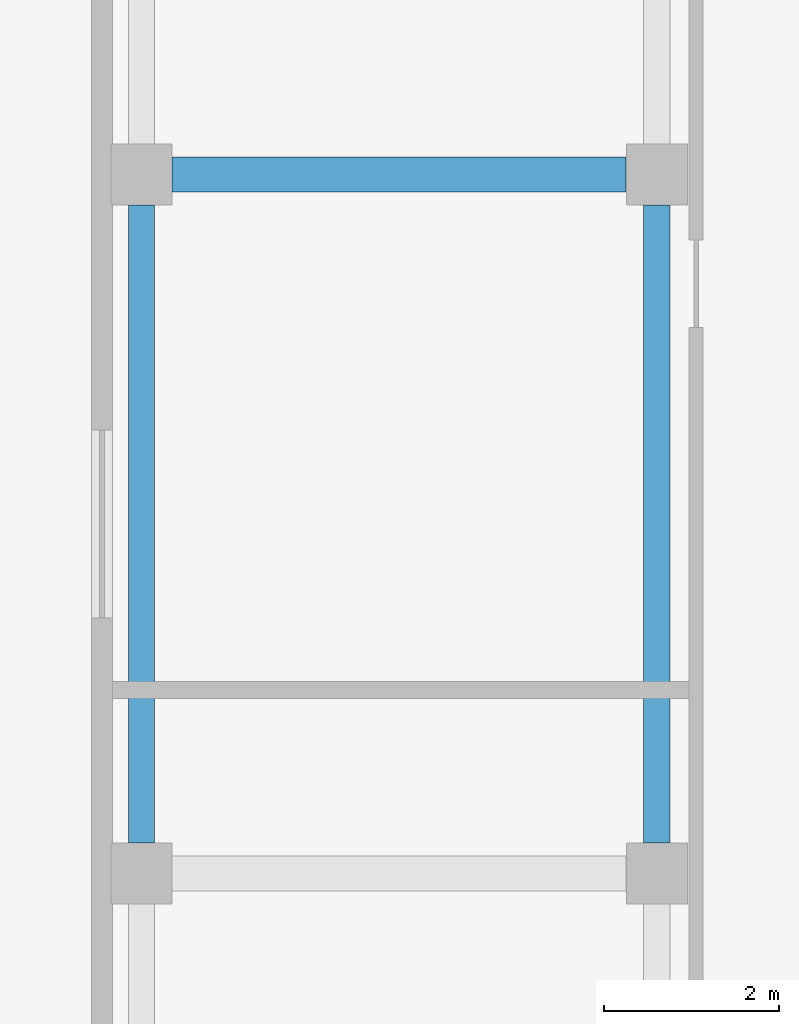
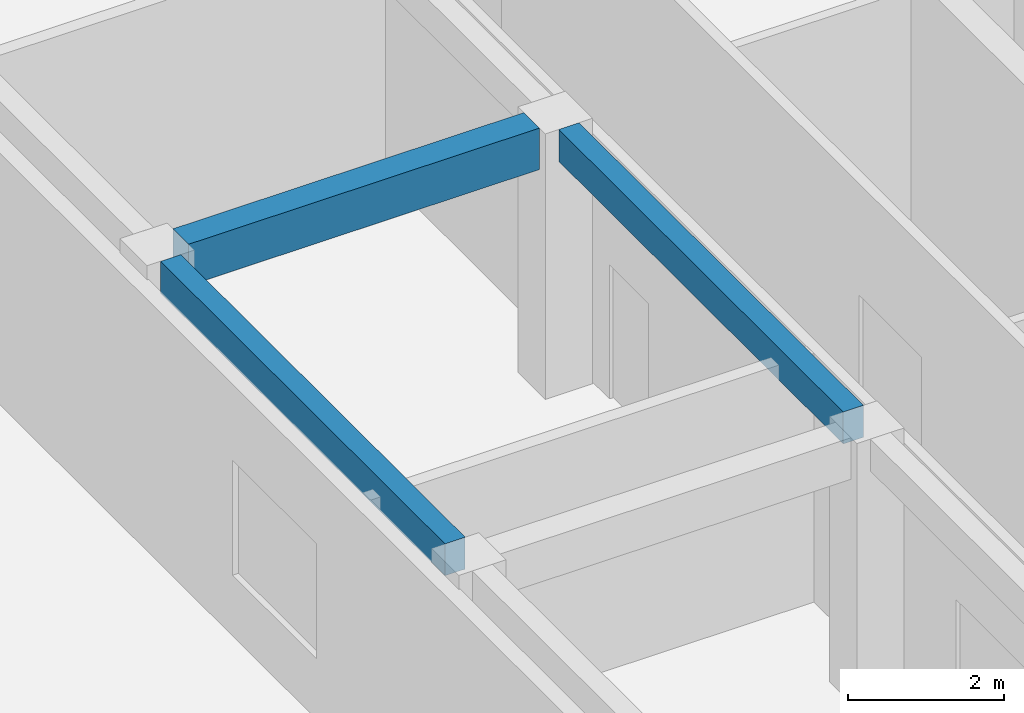
# One storey, part 52 of 114: 3 beams.
"""IFC4 building model written with IfcOpenShell, lengths in metres."""

import ifcopenshell
import ifcopenshell.guid

model = None  # the IFC model being written
_history = None  # IfcOwnerHistory: only IFC2X3 demands one
_inside = {}  # id of a spatial element -> (the spatial element, [elements in it])
_under = {}  # id of a project, library or spatial element -> (it, [spatial elements below it])
_declared = {}  # id of a project -> (the project, [libraries it declares])
_typed = {}  # id of a type object -> (the type object, [elements of that type])
_made_of = {}  # id of a material, layer set ... -> (it, [elements and type objects made of it])


def new_model(schema):
    """Start an empty IFC model of exactly this schema.

    Asked for "IFC4X3", IfcOpenShell would pick the latest addendum, in which some entities
    have other attributes; the version numbers below select the first issue.
    IFC2X3 requires an IfcOwnerHistory on every rooted entity: one is made here for all.
    """
    global model, _history
    if schema == "IFC4X3":
        model = ifcopenshell.file(schema_version=(4, 3, 0, 0))
    else:
        model = ifcopenshell.file(schema=schema)
    _inside.clear()
    _under.clear()
    _declared.clear()
    _typed.clear()
    _made_of.clear()
    _history = None
    if model.schema == "IFC2X3":
        org = make("IfcOrganization", Name="unknown")
        user = make(
            "IfcPersonAndOrganization",
            ThePerson=make("IfcPerson", FamilyName="unknown"),
            TheOrganization=org,
        )
        app = make(
            "IfcApplication",
            ApplicationDeveloper=org,
            Version="unknown",
            ApplicationFullName="unknown",
            ApplicationIdentifier="unknown",
        )
        _history = make(
            "IfcOwnerHistory",
            OwningUser=user,
            OwningApplication=app,
            ChangeAction="ADDED",
            CreationDate=0,
        )
    return model


def make(cls, **values):
    """One entity of the class cls with the attributes given. An attribute that is None is left unset."""
    return model.create_entity(
        cls, **{name: value for name, value in values.items() if value is not None}
    )


def rooted(cls, **values):
    """An entity with a GlobalId (a new one), such as an element, a storey or a relation."""
    return make(cls, GlobalId=ifcopenshell.guid.new(), OwnerHistory=_history, **values)


def si_unit(unit_type, name, prefix=None):
    """IfcSIUnit, for example si_unit("LENGTHUNIT", "METRE", prefix="MILLI")."""
    return make("IfcSIUnit", UnitType=unit_type, Prefix=prefix, Name=name)


def assignment(units):
    """IfcUnitAssignment: the units of a project."""
    return None if units is None else make("IfcUnitAssignment", Units=units)


def point(xyz):
    """IfcCartesianPoint."""
    return None if xyz is None else make("IfcCartesianPoint", Coordinates=xyz)


def direction(xyz):
    """IfcDirection."""
    return None if xyz is None else make("IfcDirection", DirectionRatios=xyz)


def frame(location, z_axis=None, x_axis=None):
    """IfcAxis2Placement3D, a coordinate frame: its origin and axes. An axis left out is left unset."""
    return make(
        "IfcAxis2Placement3D",
        Location=point(location),
        Axis=direction(z_axis),
        RefDirection=direction(x_axis),
    )


def frame_2d(location, x_axis=None):
    """IfcAxis2Placement2D, a coordinate frame in the plane: its origin and x axis."""
    return make(
        "IfcAxis2Placement2D", Location=point(location), RefDirection=direction(x_axis)
    )


def origin():
    """The frame at (0, 0, 0) with its axes left unset."""
    return frame((0.0, 0.0, 0.0))


def origin_2d():
    """The frame at (0, 0) in the plane with its x axis left unset."""
    return frame_2d((0.0, 0.0))


def place(relative_to, where):
    """IfcLocalPlacement: puts the frame where relative to a parent placement (None: the world)."""
    return make(
        "IfcLocalPlacement", PlacementRelTo=relative_to, RelativePlacement=where
    )


def context(
    kind, dimensions, precision=None, world=None, true_north=None, identifier=None
):
    """IfcGeometricRepresentationContext, for example the 3D "Model" context."""
    return make(
        "IfcGeometricRepresentationContext",
        ContextIdentifier=identifier,
        ContextType=kind,
        CoordinateSpaceDimension=dimensions,
        Precision=precision,
        WorldCoordinateSystem=world,
        TrueNorth=true_north,
    )


def subcontext(parent, identifier, kind, view, scale=None):
    """IfcGeometricRepresentationSubContext, for example "Body" below "Model"."""
    return make(
        "IfcGeometricRepresentationSubContext",
        ContextIdentifier=identifier,
        ContextType=kind,
        ParentContext=parent,
        TargetScale=scale,
        TargetView=view,
    )


def project(units=None, contexts=None):
    """IfcProject with its units and contexts."""
    return rooted(
        "IfcProject",
        Name="project",
        RepresentationContexts=contexts,
        UnitsInContext=assignment(units),
    )


def spatial(cls, under=None, at=None, **own):
    """A site, building, storey or space (cls), placed at a placement, below another one or the project."""
    s = rooted(cls, ObjectPlacement=at, **own)
    if under is not None:
        _under.setdefault(under.id(), (under, []))[1].append(s)
    return s


def profile(cls, at=None, kind="AREA", **sizes):
    """A parametric profile (cls). Its sizes go by their IFC names, for example OverallWidth=200.0."""
    return make(cls, ProfileType=kind, Position=at, **sizes)


def rectangle(**sizes):
    """IfcRectangleProfileDef."""
    return profile("IfcRectangleProfileDef", **sizes)


def extrude(swept, where, along, depth):
    """IfcExtrudedAreaSolid: the profile swept, set in the frame where, extruded along a direction by depth."""
    return make(
        "IfcExtrudedAreaSolid",
        SweptArea=swept,
        Position=where,
        ExtrudedDirection=direction(along),
        Depth=depth,
    )


def shape(context_of_items, identifier, shape_type, items):
    """IfcShapeRepresentation: the items that make up one representation, for example the "Body"."""
    return make(
        "IfcShapeRepresentation",
        ContextOfItems=context_of_items,
        RepresentationIdentifier=identifier,
        RepresentationType=shape_type,
        Items=items,
    )


def material(Name=None, Category=None):
    """IfcMaterial."""
    return make("IfcMaterial", Name=Name, Category=Category)


def material_profile(
    of_material, cross_section, Name=None, Category=None, Priority=None
):
    """IfcMaterialProfile: a cross section and its material."""
    return make(
        "IfcMaterialProfile",
        Name=Name,
        Material=of_material,
        Profile=cross_section,
        Priority=Priority,
        Category=Category,
    )


def profile_set(profiles, Name=None, composite=None):
    """IfcMaterialProfileSet."""
    return make(
        "IfcMaterialProfileSet",
        Name=Name,
        MaterialProfiles=profiles,
        CompositeProfile=composite,
    )


def made_of(thing, what):
    """Note that an element or type object is made of a material, layer set ...; save() writes the relation."""
    if what is not None:
        _made_of.setdefault(what.id(), (what, []))[1].append(thing)
    return thing


def type_object(cls, material=None, **own):
    """A type object (cls), such as IfcWallType, which elements share."""
    return made_of(rooted(cls, **own), material)


def element(
    cls,
    number,
    at=None,
    inside=None,
    cuts=None,
    type_object=None,
    material=None,
    context=None,
    identifier="Body",
    shape_type=None,
    held_by="IfcProductDefinitionShape",
    body=None,
    shapes=None,
    **own,
):
    """One element of the class cls, such as IfcWall. Its Tag is "e" and its number.

    at: its placement. inside: the storey or other place that contains it. cuts: it is an
    opening in that element (IfcRelVoidsElement). A single representation is given by context,
    identifier, shape_type and body (its items); several are given by shapes. held_by: the class
    of the entity that holds the representations. save() writes the other relations.
    """
    e = rooted(cls, Tag="e%d" % number, ObjectPlacement=at, **own)
    if body is not None:
        shapes = [shape(context, identifier, shape_type, body)]
    if shapes is not None:
        e.Representation = make(held_by, Representations=shapes)
    if inside is not None:
        _inside.setdefault(inside.id(), (inside, []))[1].append(e)
    if cuts is not None:
        rooted(
            "IfcRelVoidsElement", RelatingBuildingElement=cuts, RelatedOpeningElement=e
        )
    if type_object is not None:
        _typed.setdefault(type_object.id(), (type_object, []))[1].append(e)
    return made_of(e, material)


def aggregate(whole, parts):
    """IfcRelAggregates: a whole, such as a stair, and the parts it consists of."""
    return rooted("IfcRelAggregates", RelatingObject=whole, RelatedObjects=parts)


def save(model, path):
    """Write the relations noted so far, then the file.

    IfcRelAggregates (storeys below a building ...), IfcRelContainedInSpatialStructure (elements
    in a storey), IfcRelDefinesByType, IfcRelAssociatesMaterial and IfcRelDeclares: one each for
    every whole, place, type object, material and project.
    """
    for whole, parts in _under.values():
        aggregate(whole, parts)
    for where, things in _inside.values():
        rooted(
            "IfcRelContainedInSpatialStructure",
            RelatedElements=things,
            RelatingStructure=where,
        )
    for kind, things in _typed.values():
        rooted("IfcRelDefinesByType", RelatedObjects=things, RelatingType=kind)
    for what, things in _made_of.values():
        rooted("IfcRelAssociatesMaterial", RelatedObjects=things, RelatingMaterial=what)
    for by, libraries in _declared.values():
        rooted("IfcRelDeclares", RelatingContext=by, RelatedDefinitions=libraries)
    model.write(path)


model = new_model("IFC4")

# Units and contexts
model_context = context("Model", 3, precision=1e-05, world=origin(), true_north=direction((0.0, 1.0)))
body_context = subcontext(model_context, "Body", "Model", "MODEL_VIEW")
ifc_project = project(units=[si_unit("LENGTHUNIT", "METRE"), si_unit("AREAUNIT", "SQUARE_METRE"), si_unit("VOLUMEUNIT", "CUBIC_METRE"), si_unit("PLANEANGLEUNIT", "RADIAN"), si_unit("MASSUNIT", "GRAM", prefix="KILO")], contexts=[model_context])

# Site, building, storey
site_placement = place(None, origin())
site = spatial("IfcSite", under=ifc_project, at=site_placement, CompositionType="ELEMENT")
building_placement = place(site_placement, origin())
building = spatial("IfcBuilding", under=site, at=building_placement, Name="Keldmere Railside Commons", CompositionType="ELEMENT")
storey_placement = place(building_placement, origin())
storey = spatial("IfcBuildingStorey", under=building, at=storey_placement, Name="L00", CompositionType="ELEMENT", Elevation=0.0)

# Beams
ifc_material = material(Name="Concrete H-30 (C30/37)", Category="concrete")
ifc_material_profile_1 = material_profile(ifc_material, rectangle(XDim=0.39990234375, YDim=0.64990234375, at=origin_2d()), Name="RC-400x650")
ifc_profile_set_1 = profile_set([ifc_material_profile_1], Name="Concrete H-30 (C30/37)")
beam_type_1 = type_object("IfcBeamType", Name="Residential Spine RC Girder 400x650", PredefinedType="BEAM", material=ifc_profile_set_1)
beam_placement = place(storey_placement, frame((168.800048828125, 80.0, 3.8349609375), z_axis=(1.0, 0.0, 0.0), x_axis=(0.0, 1.0, 0.0)))
element("IfcBeam", 1, at=beam_placement, inside=storey, type_object=beam_type_1, Name="BG-3 BM-L00-0482", PredefinedType="BEAM", context=body_context, shape_type="SweptSolid", body=[
    extrude(rectangle(XDim=0.39990234375, YDim=0.64990234375, at=origin_2d()), origin(), (0.0, 0.0, 1.0), 5.199951171875),
])
ifc_material_profile_2 = material_profile(ifc_material, rectangle(XDim=0.300048828125, YDim=0.5, at=origin_2d()), Name="RC-300x500")
ifc_profile_set_2 = profile_set([ifc_material_profile_2], Name="Concrete H-30 (C30/37)")
beam_type_2 = type_object("IfcBeamType", Name="Secondary Frame RC Beam 300x500", PredefinedType="BEAM", material=ifc_profile_set_2)
for number, where, z_axis, x_axis, name in (
    (2, (168.449951171875, 72.35009765625, 3.909912109375), (0.0, 1.0, 0.0), (-1.0, 0.0, 0.0), "BG-5 BM-L00-0655"),
    (3, (174.35009765625, 72.35009765625, 3.909912109375), (0.0, 1.0, 0.0), (-1.0, 0.0, 0.0), "BG-5 BM-L00-0662"),
):
    element("IfcBeam", number, at=place(storey_placement, frame(where, z_axis=z_axis, x_axis=x_axis)), inside=storey, type_object=beam_type_2, Name=name, PredefinedType="BEAM", context=body_context, shape_type="SweptSolid", body=[
        extrude(rectangle(XDim=0.300048828125, YDim=0.5, at=origin_2d()), origin(), (0.0, 0.0, 1.0), 7.2998046875),
    ])

save(model, "model.ifc")
